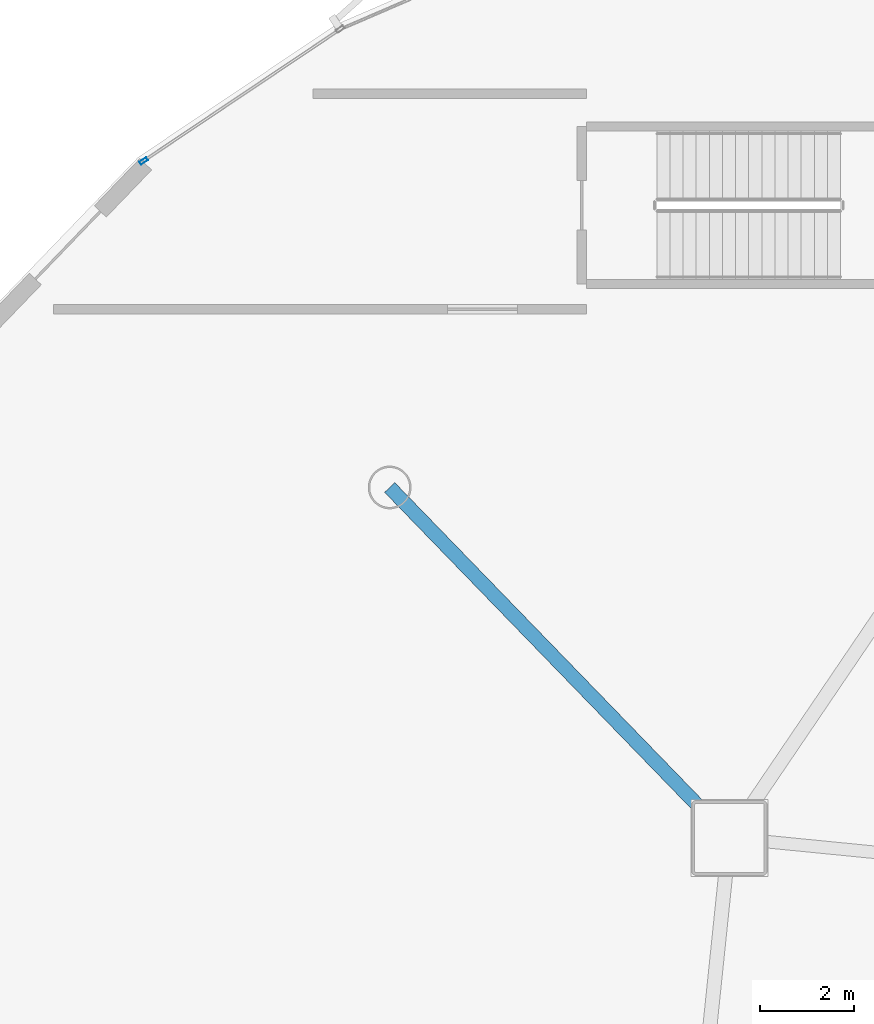
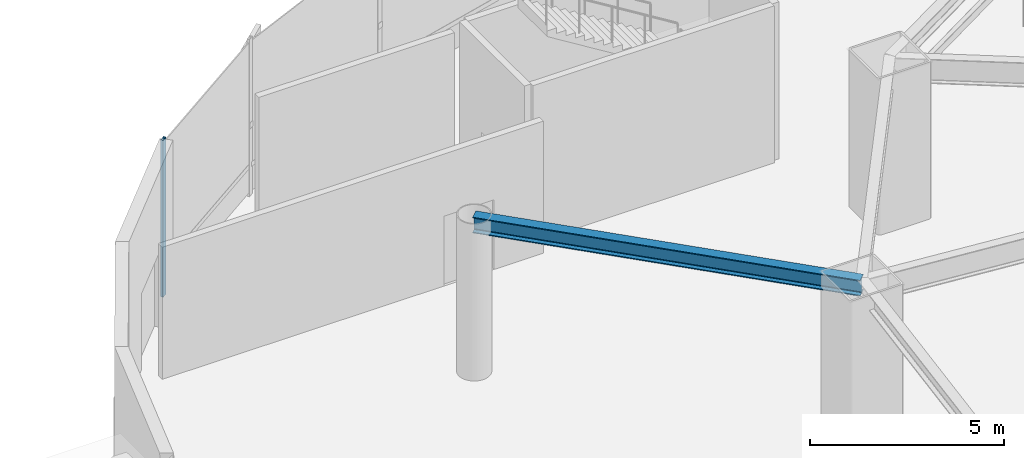
# One storey, part 7 of 35: 1 beam, 1 member, 1 element without a shape of its own.
"""IFC4 building model written with IfcOpenShell, lengths in metres."""

from ifc_helpers import new_model, si_unit, direction, frame, origin, origin_2d, place, context, subcontext, project, spatial, hollow_rectangle, i_section, extrude, source, transform, mapped, material, layer, layer_set, material_profile, profile_set, type_object, element, aggregate, save


model = new_model("IFC4")

# Units and contexts
model_context = context("Model", 3, precision=1e-05, world=origin(), true_north=direction((0.0, 1.0)))
body_context = subcontext(model_context, "Body", "Model", "MODEL_VIEW")
ifc_project = project(units=[si_unit("LENGTHUNIT", "METRE"), si_unit("AREAUNIT", "SQUARE_METRE"), si_unit("VOLUMEUNIT", "CUBIC_METRE"), si_unit("PLANEANGLEUNIT", "RADIAN"), si_unit("MASSUNIT", "GRAM", prefix="KILO"), si_unit("THERMODYNAMICTEMPERATUREUNIT", "KELVIN")], contexts=[model_context])

# Site, building, storey
site_placement = place(None, origin())
site = spatial("IfcSite", under=ifc_project, at=site_placement, CompositionType="ELEMENT")
building_placement = place(site_placement, origin())
building = spatial("IfcBuilding", under=site, at=building_placement, Name="Kethvar Cultural Tower", CompositionType="ELEMENT")
storey_placement = place(building_placement, origin())
storey = spatial("IfcBuildingStorey", under=building, at=storey_placement, Name="L00", CompositionType="ELEMENT", Elevation=0.0)

# Beam
ifc_material_1 = material(Name="Steel S355J2", Category="steel")
ifc_material_profile_1 = material_profile(ifc_material_1, i_section(OverallWidth=0.300048828125, OverallDepth=0.5, WebThickness=0.014404296875, FlangeThickness=0.028076171875, FilletRadius=0.027099609375, at=origin_2d()), Name="Steel S355J2 — HEB500")
ifc_profile_set_1 = profile_set([ifc_material_profile_1], Name="Steel S355J2 — HEB500")
beam_type = type_object("IfcBeamType", Name="BM-SP500", PredefinedType="SPANDREL", material=ifc_profile_set_1)
shared_shape_1 = source(origin(), body_context, "Body", "SweptSolid", [
    extrude(i_section(OverallWidth=0.300048828125, OverallDepth=0.5, WebThickness=0.014404296875, FlangeThickness=0.028076171875, FilletRadius=0.027099609375, at=origin_2d()), origin(), (0.0, 0.0, 1.0), 10.4130859375),
])
beam_placement = place(storey_placement, frame((13.800048828125, 40.39990234375, 4.697998046875), z_axis=(0.695965659729, -0.718075066047, 0.0), x_axis=(0.718075066047, 0.695965659729, 0.0)))
element("IfcBeam", 1, at=beam_placement, inside=storey, type_object=beam_type, Name="L00 West Atrium Wing Beam 02", PredefinedType="SPANDREL", context=body_context, shape_type="MappedRepresentation", body=[
    mapped(shared_shape_1, transform((0.0, 0.0, 0.0), scale=1.0)),
])

# Curtain wall, member
ifc_material_2 = material(Name="Aluminium 6063-T6", Category="aluminium")
ifc_layer = layer(ifc_material_2, 0.179931640625, Name="Aluminium 6063-T6", Category="aluminium")
ifc_layer_set = layer_set([ifc_layer], Name="Aluminium 6063-T6 (180 mm)")
curtain_wall_type = type_object("IfcCurtainWallType", Name="CW-SYS-01-POD", PredefinedType="NOTDEFINED", material=ifc_layer_set)
curtain_wall_placement = place(storey_placement, origin())
curtain_wall = element("IfcCurtainWall", 2, at=curtain_wall_placement, inside=storey, type_object=curtain_wall_type, Name="L00 Curtain Wall Run 02", PredefinedType="NOTDEFINED")
ifc_material_profile_2 = material_profile(ifc_material_2, hollow_rectangle(XDim=0.074951171875, YDim=0.179931640625, WallThickness=0.006103515625, at=origin_2d()), Name="Aluminium 6063-T6 — RHS180x75x6")
ifc_profile_set_2 = profile_set([ifc_material_profile_2], Name="Aluminium 6063-T6 — RHS180x75x6")
member_type = type_object("IfcMemberType", Name="CW-SYS-01-POD-MUL", PredefinedType="MULLION", material=ifc_profile_set_2)
shared_shape_2 = source(origin(), body_context, "Body", "SweptSolid", [
    extrude(hollow_rectangle(XDim=0.074951171875, YDim=0.179931640625, WallThickness=0.006103515625, at=origin_2d()), origin(), (0.0, 0.0, 1.0), 4.949951171875),
])
member_placement = place(storey_placement, frame((8.5498046875, 47.364990234375, 0.0), z_axis=(0.0, 0.0, 1.0), x_axis=(0.556556649514, -0.830809662848, 0.0)))
member = element("IfcMember", 3, at=member_placement, type_object=member_type, Name="CW-L00-R02 Mullion 7", PredefinedType="MULLION", context=body_context, shape_type="MappedRepresentation", body=[
    mapped(shared_shape_2, transform((0.0, 0.0, 0.0), scale=1.0)),
])
aggregate(curtain_wall, [member])

save(model, "model.ifc")
